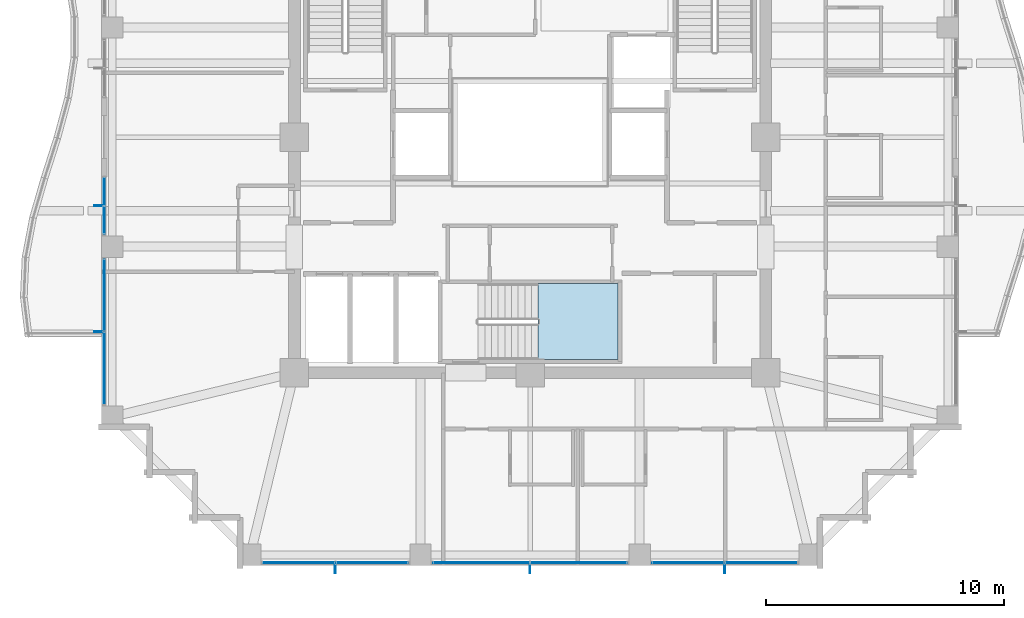
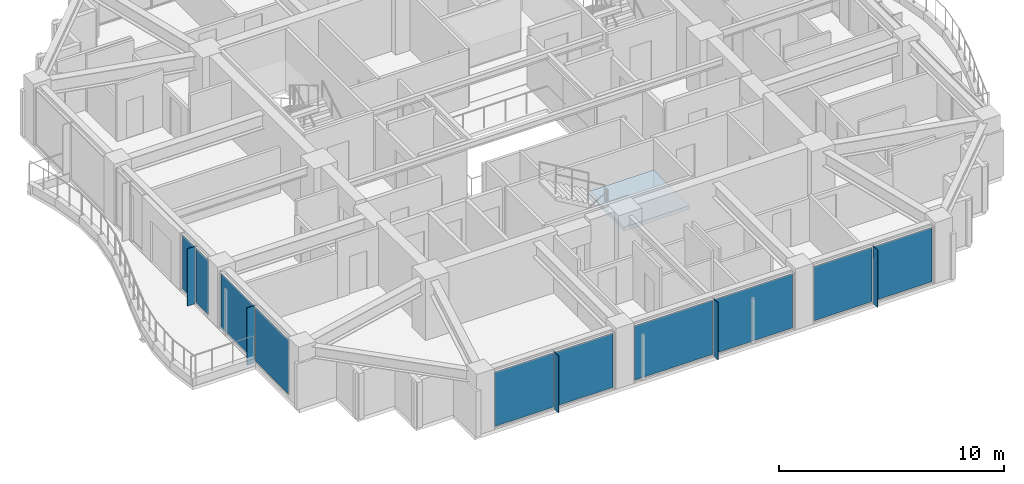
# One storey, part 23 of 33: 15 plates, 1 slab, 6 elements without a shape of their own.
"""IFC4 building model written with IfcOpenShell, lengths in metres."""

from ifc_helpers import new_model, si_unit, direction, frame, origin, origin_2d, place, context, subcontext, project, spatial, polyline, rectangle, outline, extrude, material, layer, layer_set, type_object, element, aggregate, save


model = new_model("IFC4")

# Units and contexts
model_context = context("Model", 3, precision=1e-05, world=origin(), true_north=direction((0.0, 1.0)))
body_context = subcontext(model_context, "Body", "Model", "MODEL_VIEW")
ifc_project = project(units=[si_unit("LENGTHUNIT", "METRE"), si_unit("AREAUNIT", "SQUARE_METRE"), si_unit("VOLUMEUNIT", "CUBIC_METRE"), si_unit("PLANEANGLEUNIT", "RADIAN"), si_unit("MASSUNIT", "GRAM", prefix="KILO")], contexts=[model_context])

# Site, building, storey
site_placement = place(None, origin())
site = spatial("IfcSite", under=ifc_project, at=site_placement, CompositionType="ELEMENT")
building_placement = place(site_placement, origin())
building = spatial("IfcBuilding", under=site, at=building_placement, Name="Kolvaren Belvedere", CompositionType="ELEMENT")
storey_placement = place(building_placement, frame((0.0, 0.0, 128.300048828125)))
storey = spatial("IfcBuildingStorey", under=building, at=storey_placement, Name="L37", CompositionType="ELEMENT", Elevation=128.300048828125)

# Curtain wall, plates
ifc_material_1 = material(Name="Anodised pale-metal aluminium AA 6063-T6", Category="aluminium")
curtain_wall_type = type_object("IfcCurtainWallType", Name="CW-Z3-WAIST", PredefinedType="NOTDEFINED", material=ifc_material_1)
curtain_wall_1_placement = place(storey_placement, origin())
curtain_wall_1 = element("IfcCurtainWall", 1, at=curtain_wall_1_placement, inside=storey, type_object=curtain_wall_type, Name="L37 Unitised Curtain Wall FCW-L37-S-B1", PredefinedType="NOTDEFINED")
ifc_material_2 = material(Name="Low-iron triple insulated glass", Category="glass")
ifc_layer_1 = layer(ifc_material_2, 0.028076171875)
ifc_layer_set_1 = layer_set([ifc_layer_1], Name="Low-iron triple insulated glass")
plate_type_1 = type_object("IfcPlateType", Name="CW-PNL-VIS28", PredefinedType="CURTAIN_PANEL", material=ifc_layer_set_1)
plate_1_placement = place(storey_placement, frame((9.711181640625, -17.8798828125, 0.080078125), z_axis=(0.0, 0.0, 1.0), x_axis=(-1.0, 0.0, 0.0)))
plate_1 = element("IfcPlate", 2, at=plate_1_placement, type_object=plate_type_1, Name="FCW-L37-S-B1 Vision Glazing Panel 1", PredefinedType="CURTAIN_PANEL", context=body_context, shape_type="SweptSolid", body=[
    extrude(rectangle(XDim=2.992431640625, YDim=0.028076171875, at=origin_2d()), origin(), (0.0, 0.0, 1.0), 2.93994140625),
])
plate_2_placement = place(storey_placement, frame((6.638671875, -17.8798828125, 0.080078125), z_axis=(0.0, 0.0, 1.0), x_axis=(-1.0, 0.0, 0.0)))
plate_2 = element("IfcPlate", 3, at=plate_2_placement, type_object=plate_type_1, Name="FCW-L37-S-B1 Vision Glazing Panel 2", PredefinedType="CURTAIN_PANEL", context=body_context, shape_type="SweptSolid", body=[
    extrude(rectangle(XDim=2.992431640625, YDim=0.028076171875, at=origin_2d()), origin(), (0.0, 0.0, 1.0), 2.93994140625),
])
aggregate(curtain_wall_1, [plate_1, plate_2])

curtain_wall_2_placement = place(storey_placement, origin())
curtain_wall_2 = element("IfcCurtainWall", 4, at=curtain_wall_2_placement, inside=storey, type_object=curtain_wall_type, Name="L37 Unitised Curtain Wall FCW-L37-S-B2", PredefinedType="NOTDEFINED")
plate_3_placement = place(storey_placement, frame((2.048828125, -17.8798828125, 0.080078125), z_axis=(0.0, 0.0, 1.0), x_axis=(-1.0, 0.0, 0.0)))
plate_3 = element("IfcPlate", 5, at=plate_3_placement, type_object=plate_type_1, Name="FCW-L37-S-B2 Vision Glazing Panel 1", PredefinedType="CURTAIN_PANEL", context=body_context, shape_type="SweptSolid", body=[
    extrude(rectangle(XDim=4.017578125, YDim=0.028076171875, at=origin_2d()), origin(), (0.0, 0.0, 1.0), 2.93994140625),
])
plate_4_placement = place(storey_placement, frame((-2.048828125, -17.8798828125, 0.080078125), z_axis=(0.0, 0.0, 1.0), x_axis=(-1.0, 0.0, 0.0)))
plate_4 = element("IfcPlate", 6, at=plate_4_placement, type_object=plate_type_1, Name="FCW-L37-S-B2 Vision Glazing Panel 2", PredefinedType="CURTAIN_PANEL", context=body_context, shape_type="SweptSolid", body=[
    extrude(rectangle(XDim=4.017578125, YDim=0.028076171875, at=origin_2d()), origin(), (0.0, 0.0, 1.0), 2.93994140625),
])
aggregate(curtain_wall_2, [plate_3, plate_4])

curtain_wall_3_placement = place(storey_placement, origin())
curtain_wall_3 = element("IfcCurtainWall", 7, at=curtain_wall_3_placement, inside=storey, type_object=curtain_wall_type, Name="L37 Unitised Curtain Wall FCW-L37-S-B3", PredefinedType="NOTDEFINED")
plate_5_placement = place(storey_placement, frame((-6.638671875, -17.8798828125, 0.080078125), z_axis=(0.0, 0.0, 1.0), x_axis=(-1.0, 0.0, 0.0)))
plate_5 = element("IfcPlate", 8, at=plate_5_placement, type_object=plate_type_1, Name="FCW-L37-S-B3 Vision Glazing Panel 1", PredefinedType="CURTAIN_PANEL", context=body_context, shape_type="SweptSolid", body=[
    extrude(rectangle(XDim=2.992431640625, YDim=0.028076171875, at=origin_2d()), origin(), (0.0, 0.0, 1.0), 2.93994140625),
])
plate_6_placement = place(storey_placement, frame((-9.711181640625, -17.8798828125, 0.080078125), z_axis=(0.0, 0.0, 1.0), x_axis=(-1.0, 0.0, 0.0)))
plate_6 = element("IfcPlate", 9, at=plate_6_placement, type_object=plate_type_1, Name="FCW-L37-S-B3 Vision Glazing Panel 2", PredefinedType="CURTAIN_PANEL", context=body_context, shape_type="SweptSolid", body=[
    extrude(rectangle(XDim=2.992431640625, YDim=0.028076171875, at=origin_2d()), origin(), (0.0, 0.0, 1.0), 2.93994140625),
])
aggregate(curtain_wall_3, [plate_5, plate_6])

curtain_wall_4_placement = place(storey_placement, origin())
curtain_wall_4 = element("IfcCurtainWall", 10, at=curtain_wall_4_placement, inside=storey, type_object=curtain_wall_type, Name="L37 Unitised Curtain Wall FCW-L37-W1-B1", PredefinedType="NOTDEFINED")
plate_7_placement = place(storey_placement, frame((-17.8798828125, -9.711181640625, 0.080078125), z_axis=(0.0, 0.0, 1.0), x_axis=(0.0, 1.0, 0.0)))
plate_7 = element("IfcPlate", 11, at=plate_7_placement, type_object=plate_type_1, Name="FCW-L37-W1-B1 Vision Glazing Panel 1", PredefinedType="CURTAIN_PANEL", context=body_context, shape_type="SweptSolid", body=[
    extrude(rectangle(XDim=2.992431640625, YDim=0.028076171875, at=origin_2d()), origin(), (0.0, 0.0, 1.0), 2.93994140625),
])
plate_8_placement = place(storey_placement, frame((-17.8798828125, -6.638671875, 0.080078125), z_axis=(0.0, 0.0, 1.0), x_axis=(0.0, 1.0, 0.0)))
plate_8 = element("IfcPlate", 12, at=plate_8_placement, type_object=plate_type_1, Name="FCW-L37-W1-B1 Vision Glazing Panel 2", PredefinedType="CURTAIN_PANEL", context=body_context, shape_type="SweptSolid", body=[
    extrude(rectangle(XDim=2.992431640625, YDim=0.028076171875, at=origin_2d()), origin(), (0.0, 0.0, 1.0), 2.93994140625),
])
aggregate(curtain_wall_4, [plate_7, plate_8])

curtain_wall_5_placement = place(storey_placement, origin())
curtain_wall_5 = element("IfcCurtainWall", 13, at=curtain_wall_5_placement, inside=storey, type_object=curtain_wall_type, Name="L37 Unitised Curtain Wall FCW-L37-W1-B2", PredefinedType="NOTDEFINED")
plate_9_placement = place(storey_placement, frame((-17.8798828125, -3.4931640625, 0.080078125), z_axis=(0.0, 0.0, 1.0), x_axis=(0.0, 1.0, 0.0)))
plate_9 = element("IfcPlate", 14, at=plate_9_placement, type_object=plate_type_1, Name="FCW-L37-W1-B2 Vision Glazing Panel 1", PredefinedType="CURTAIN_PANEL", context=body_context, shape_type="SweptSolid", body=[
    extrude(rectangle(XDim=1.12890625, YDim=0.028076171875, at=origin_2d()), origin(), (0.0, 0.0, 1.0), 2.93994140625),
])
plate_10_placement = place(storey_placement, frame((-17.8798828125, -2.284423828125, 0.080078125), z_axis=(0.0, 0.0, 1.0), x_axis=(0.0, 1.0, 0.0)))
plate_10 = element("IfcPlate", 15, at=plate_10_placement, type_object=plate_type_1, Name="FCW-L37-W1-B2 Vision Glazing Panel 2", PredefinedType="CURTAIN_PANEL", context=body_context, shape_type="SweptSolid", body=[
    extrude(rectangle(XDim=1.12890625, YDim=0.028076171875, at=origin_2d()), origin(), (0.0, 0.0, 1.0), 2.93994140625),
])
aggregate(curtain_wall_5, [plate_9, plate_10])

# Plates
ifc_material_3 = material(Name="Anodised pale-metal aluminium AA 6063-T6", Category="aluminium")
ifc_layer_2 = layer(ifc_material_3, 0.033935546875)
ifc_layer_set_2 = layer_set([ifc_layer_2], Name="Anodised pale-metal aluminium AA 6063-T6")
plate_type_2 = type_object("IfcPlateType", Name="FIN-VERT-380", PredefinedType="USERDEFINED", material=ifc_layer_set_2)
for number, where, z_axis, x_axis, name in (
    (16, (8.175048828125, -18.1201171875, 0.0), (0.0, 0.0, 1.0), (0.0, 1.0, 0.0), "L37 Pale-Metal Vertical Shading Fin FCW-L37-S-B1-1"),
    (17, (0.0, -18.1201171875, 0.0), (0.0, 0.0, 1.0), (0.0, 1.0, 0.0), "L37 Pale-Metal Vertical Shading Fin FCW-L37-S-B2-1"),
    (18, (-8.175048828125, -18.1201171875, 0.0), (0.0, 0.0, 1.0), (0.0, 1.0, 0.0), "L37 Pale-Metal Vertical Shading Fin FCW-L37-S-B3-1"),
    (19, (-18.1201171875, -8.175048828125, 0.0), (0.0, 0.0, 1.0), (1.0, 0.0, 0.0), "L37 Pale-Metal Vertical Shading Fin FCW-L37-W1-B1-1"),
    (20, (-18.1201171875, -2.888671875, 0.0), (0.0, 0.0, 1.0), (1.0, 0.0, 0.0), "L37 Pale-Metal Vertical Shading Fin FCW-L37-W1-B2-1"),
):
    element("IfcPlate", number, at=place(storey_placement, frame(where, z_axis=z_axis, x_axis=x_axis)), inside=storey, type_object=plate_type_2, Name=name, ObjectType="VERTICAL FIN", PredefinedType="USERDEFINED", context=body_context, shape_type="SweptSolid", body=[
        extrude(rectangle(XDim=0.3798828125, YDim=0.033935546875, at=origin_2d()), origin(), (0.0, 0.0, 1.0), 3.10009765625),
    ])

# Stair, slab
ifc_material_4 = material(Name="Concrete C50/60", Category="concrete")
stair_type = type_object("IfcStairType", Name="ST-CORE-1520", PredefinedType="HALF_TURN_STAIR", material=ifc_material_4)
stair_placement = place(storey_placement, origin())
stair = element("IfcStair", 21, at=stair_placement, inside=storey, type_object=stair_type, Name="L37 Protected Exit Stair ST-3", PredefinedType="HALF_TURN_STAIR")
ifc_material_5 = material(Name="Concrete C50/60", Category="concrete")
ifc_layer_3 = layer(ifc_material_5, 0.260009765625)
ifc_layer_set_3 = layer_set([ifc_layer_3], Name="Concrete C50/60")
slab_type = type_object("IfcSlabType", Name="SL-LAND-260", PredefinedType="LANDING", material=ifc_layer_set_3)
slab_placement = place(storey_placement, frame((0.0, 0.0, 1.449951171875)))
slab = element("IfcSlab", 22, at=slab_placement, type_object=slab_type, Name="ST-3 landing 1", PredefinedType="LANDING", context=body_context, shape_type="SweptSolid", body=[
    extrude(outline(polyline([(0.340087890625, -9.35009765625), (3.699951171875, -9.35009765625), (3.699951171875, -6.159912109375), (0.340087890625, -6.159912109375), (0.340087890625, -9.35009765625)])), origin(), (0.0, 0.0, 1.0), 0.199951171875),
])
aggregate(stair, [slab])

save(model, "model.ifc")
